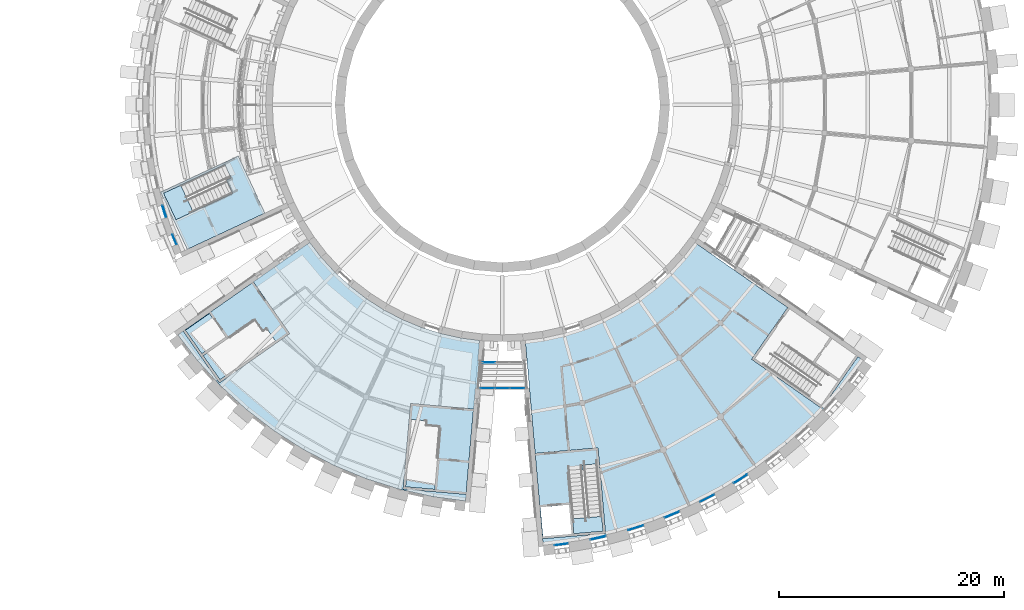
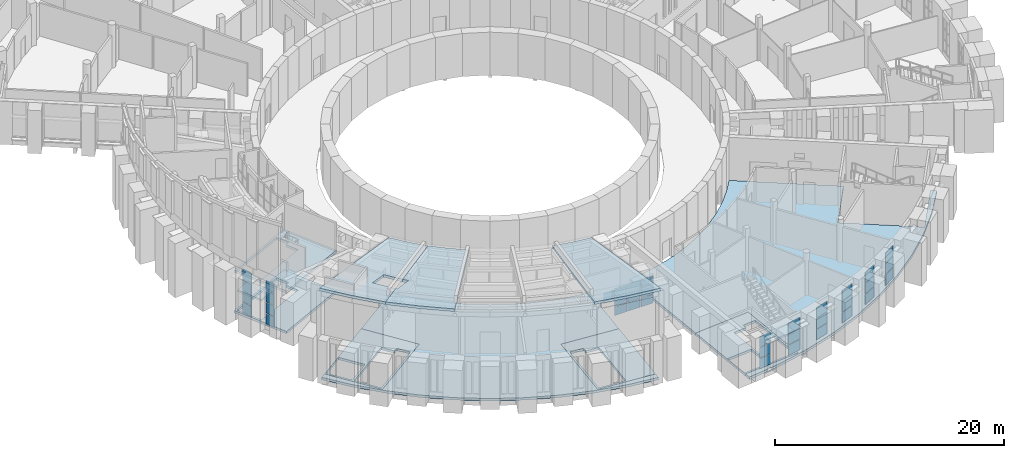
# One storey, part 29 of 66: 36 plates, 12 slabs, 12 elements without a shape of their own.
"""IFC4 building model written with IfcOpenShell, lengths in metres."""

from ifc_helpers import new_model, si_unit, direction, frame, origin, origin_2d, place, context, subcontext, project, spatial, polyline, rectangle, outline, extrude, material, layer, layer_set, type_object, element, aggregate, save


model = new_model("IFC4")

# Units and contexts
model_context = context("Model", 3, precision=1e-05, world=origin(), true_north=direction((0.0, 1.0)))
body_context = subcontext(model_context, "Body", "Model", "MODEL_VIEW")
ifc_project = project(units=[si_unit("LENGTHUNIT", "METRE"), si_unit("AREAUNIT", "SQUARE_METRE"), si_unit("VOLUMEUNIT", "CUBIC_METRE"), si_unit("PLANEANGLEUNIT", "RADIAN"), si_unit("MASSUNIT", "GRAM", prefix="KILO")], contexts=[model_context])

# Site, building, storey
site_placement = place(None, origin())
site = spatial("IfcSite", under=ifc_project, at=site_placement, CompositionType="ELEMENT")
building_placement = place(site_placement, origin())
building = spatial("IfcBuilding", under=site, at=building_placement, Name="Volute Hill Aquarium", CompositionType="ELEMENT")
storey_placement = place(building_placement, frame((0.0, 0.0, 4.60009765625)))
storey = spatial("IfcBuildingStorey", under=building, at=storey_placement, Name="L02", CompositionType="ELEMENT", Elevation=4.60009765625)

# Curtain wall, plate
ifc_material_1 = material(Name="Aluminium and glass", Category="aluminium")
ifc_layer_1 = layer(ifc_material_1, 0.1201171875)
ifc_layer_set_1 = layer_set([ifc_layer_1], Name="Bridge curtain wall")
curtain_wall_type_1 = type_object("IfcCurtainWallType", Name="Bridge curtain wall", PredefinedType="NOTDEFINED", material=ifc_layer_set_1)
curtain_wall_1_placement = place(storey_placement, origin())
curtain_wall_1 = element("IfcCurtainWall", 1, at=curtain_wall_1_placement, inside=storey, type_object=curtain_wall_type_1, Name="br/SC3/L02/cwa", PredefinedType="NOTDEFINED")
ifc_material_2 = material(Name="Laminated glass", Category="glass")
ifc_layer_2 = layer(ifc_material_2, 0.028076171875)
ifc_layer_set_2 = layer_set([ifc_layer_2], Name="Bridge glass panel 28")
plate_type_1 = type_object("IfcPlateType", Name="Bridge glass panel 28", PredefinedType="CURTAIN_PANEL", material=ifc_layer_set_2)
plate_1_placement = place(storey_placement, frame((-1.1845703125, -22.860107421875, 0.06005859375), z_axis=(0.0, 0.0, 1.0), x_axis=(1.0, 0.0, 0.0)))
plate_1 = element("IfcPlate", 2, at=plate_1_placement, type_object=plate_type_1, Name="BR5 panel 1.1", PredefinedType="CURTAIN_PANEL", context=body_context, shape_type="SweptSolid", body=[
    extrude(rectangle(XDim=1.109375, YDim=0.028076171875, at=origin_2d()), origin(), (0.0, 0.0, 1.0), 0.909912109375),
])
aggregate(curtain_wall_1, [plate_1])

# Curtain wall, plates
curtain_wall_2_placement = place(storey_placement, origin())
curtain_wall_2 = element("IfcCurtainWall", 3, at=curtain_wall_2_placement, inside=storey, type_object=curtain_wall_type_1, Name="br/SC3/L02/cwb", PredefinedType="NOTDEFINED")
plate_2_placement = place(storey_placement, frame((-1.3173828125, -25.139892578125, 0.06005859375), z_axis=(0.0, 0.0, 1.0), x_axis=(1.0, 0.0, 0.0)))
plate_2 = element("IfcPlate", 4, at=plate_2_placement, type_object=plate_type_1, Name="BR5 panel 1.1", PredefinedType="CURTAIN_PANEL", context=body_context, shape_type="SweptSolid", body=[
    extrude(rectangle(XDim=1.242431640625, YDim=0.028076171875, at=origin_2d()), origin(), (0.0, 0.0, 1.0), 0.909912109375),
])
plate_3_placement = place(storey_placement, frame((-1.3173828125, -25.139892578125, 1.02978515625), z_axis=(0.0, 0.0, 1.0), x_axis=(1.0, 0.0, 0.0)))
plate_3 = element("IfcPlate", 5, at=plate_3_placement, type_object=plate_type_1, Name="BR5 panel 1.2", PredefinedType="CURTAIN_PANEL", context=body_context, shape_type="SweptSolid", body=[
    extrude(rectangle(XDim=1.242431640625, YDim=0.028076171875, at=origin_2d()), origin(), (0.0, 0.0, 1.0), 1.0400390625),
])
plate_4_placement = place(storey_placement, frame((-1.3173828125, -25.139892578125, 2.1298828125), z_axis=(0.0, 0.0, 1.0), x_axis=(1.0, 0.0, 0.0)))
plate_4 = element("IfcPlate", 6, at=plate_4_placement, type_object=plate_type_1, Name="BR5 panel 1.3", PredefinedType="CURTAIN_PANEL", context=body_context, shape_type="SweptSolid", body=[
    extrude(rectangle(XDim=1.242431640625, YDim=0.028076171875, at=origin_2d()), origin(), (0.0, 0.0, 1.0), 0.81005859375),
])
plate_5_placement = place(storey_placement, frame((0.0, -25.139892578125, 0.06005859375), z_axis=(0.0, 0.0, 1.0), x_axis=(1.0, 0.0, 0.0)))
plate_5 = element("IfcPlate", 7, at=plate_5_placement, type_object=plate_type_1, Name="BR5 panel 2.1", PredefinedType="CURTAIN_PANEL", context=body_context, shape_type="SweptSolid", body=[
    extrude(rectangle(XDim=1.2724609375, YDim=0.028076171875, at=origin_2d()), origin(), (0.0, 0.0, 1.0), 0.909912109375),
])
plate_6_placement = place(storey_placement, frame((0.0, -25.139892578125, 1.02978515625), z_axis=(0.0, 0.0, 1.0), x_axis=(1.0, 0.0, 0.0)))
plate_6 = element("IfcPlate", 8, at=plate_6_placement, type_object=plate_type_1, Name="BR5 panel 2.2", PredefinedType="CURTAIN_PANEL", context=body_context, shape_type="SweptSolid", body=[
    extrude(rectangle(XDim=1.2724609375, YDim=0.028076171875, at=origin_2d()), origin(), (0.0, 0.0, 1.0), 1.0400390625),
])
plate_7_placement = place(storey_placement, frame((0.0, -25.139892578125, 2.1298828125), z_axis=(0.0, 0.0, 1.0), x_axis=(1.0, 0.0, 0.0)))
plate_7 = element("IfcPlate", 9, at=plate_7_placement, type_object=plate_type_1, Name="BR5 panel 2.3", PredefinedType="CURTAIN_PANEL", context=body_context, shape_type="SweptSolid", body=[
    extrude(rectangle(XDim=1.2724609375, YDim=0.028076171875, at=origin_2d()), origin(), (0.0, 0.0, 1.0), 0.81005859375),
])
plate_8_placement = place(storey_placement, frame((1.3173828125, -25.139892578125, 0.06005859375), z_axis=(0.0, 0.0, 1.0), x_axis=(1.0, 0.0, 0.0)))
plate_8 = element("IfcPlate", 10, at=plate_8_placement, type_object=plate_type_1, Name="BR5 panel 3.1", PredefinedType="CURTAIN_PANEL", context=body_context, shape_type="SweptSolid", body=[
    extrude(rectangle(XDim=1.242431640625, YDim=0.028076171875, at=origin_2d()), origin(), (0.0, 0.0, 1.0), 0.909912109375),
])
plate_9_placement = place(storey_placement, frame((1.3173828125, -25.139892578125, 1.02978515625), z_axis=(0.0, 0.0, 1.0), x_axis=(1.0, 0.0, 0.0)))
plate_9 = element("IfcPlate", 11, at=plate_9_placement, type_object=plate_type_1, Name="BR5 panel 3.2", PredefinedType="CURTAIN_PANEL", context=body_context, shape_type="SweptSolid", body=[
    extrude(rectangle(XDim=1.242431640625, YDim=0.028076171875, at=origin_2d()), origin(), (0.0, 0.0, 1.0), 1.0400390625),
])
plate_10_placement = place(storey_placement, frame((1.3173828125, -25.139892578125, 2.1298828125), z_axis=(0.0, 0.0, 1.0), x_axis=(1.0, 0.0, 0.0)))
plate_10 = element("IfcPlate", 12, at=plate_10_placement, type_object=plate_type_1, Name="BR5 panel 3.3", PredefinedType="CURTAIN_PANEL", context=body_context, shape_type="SweptSolid", body=[
    extrude(rectangle(XDim=1.242431640625, YDim=0.028076171875, at=origin_2d()), origin(), (0.0, 0.0, 1.0), 0.81005859375),
])
aggregate(curtain_wall_2, [plate_2, plate_3, plate_4, plate_5, plate_6, plate_7, plate_8, plate_9, plate_10])

# Slabs
ifc_material_3 = material(Name="Concrete C30/37", Category="concrete")
ifc_layer_3 = layer(ifc_material_3, 0.25)
ifc_layer_set_3 = layer_set([ifc_layer_3], Name="Core floor slab 250")
slab_type_1 = type_object("IfcSlabType", Name="Core floor slab 250", PredefinedType="FLOOR", material=ifc_layer_set_3)
for number, where, name in (
    (13, (0.0, 0.0, -0.25), "cs/S1-B/L02"),
    (14, (0.0, 0.0, 4.06982421875), "cs/S1-B/roof"),
):
    element("IfcSlab", number, at=place(storey_placement, frame(where)), inside=storey, type_object=slab_type_1, Name=name, PredefinedType="FLOOR", context=body_context, shape_type="SweptSolid", body=[
        extrude(outline(polyline([(-23.43212890625, -4.527099609375), (-30.3203125, -7.739013671875), (-27.95361328125, -12.814208984375), (-21.0654296875, -9.602294921875), (-23.43212890625, -4.527099609375)]), holes=[polyline([(-23.925537109375, -7.846435546875), (-28.95556640625, -10.192138671875), (-30.054443359375, -7.835693359375), (-24.618408203125, -5.30078125), (-24.06884765625, -6.47900390625), (-24.47509765625, -6.668212890625), (-23.925537109375, -7.846435546875)])]), origin(), (0.0, 0.0, 1.0), 0.25),
    ])
slab_1_placement = place(storey_placement, frame((0.0, 0.0, -0.25)))
element("IfcSlab", 15, at=slab_1_placement, inside=storey, type_object=slab_type_1, Name="cs/S2-A/L02", PredefinedType="FLOOR", context=body_context, shape_type="SweptSolid", body=[
    extrude(outline(polyline([(-22.084228515625, -15.707763671875), (-28.309814453125, -20.06689453125), (-25.097900390625, -24.654296875), (-18.872314453125, -20.294921875), (-22.084228515625, -15.707763671875)]), holes=[polyline([(-24.52490234375, -20.5908203125), (-26.65478515625, -22.08203125), (-28.117431640625, -19.9931640625), (-25.987548828125, -18.501953125), (-24.52490234375, -20.5908203125)]), polyline([(-21.248046875, -20.12744140625), (-20.881103515625, -19.870361328125), (-20.135498046875, -20.935302734375), (-25.048583984375, -24.37548828125), (-26.5400390625, -22.245849609375), (-21.99365234375, -19.0625), (-21.248046875, -20.12744140625)])]), origin(), (0.0, 0.0, 1.0), 0.25),
])
slab_2_placement = place(storey_placement, frame((0.0, 0.0, -0.25)))
element("IfcSlab", 16, at=slab_2_placement, inside=storey, type_object=slab_type_1, Name="cs/S2-B/L02", PredefinedType="FLOOR", context=body_context, shape_type="SweptSolid", body=[
    extrude(outline(polyline([(-8.139892578125, -26.491455078125), (-8.80224609375, -34.0625), (-3.223388671875, -34.550537109375), (-2.561279296875, -26.9794921875), (-8.139892578125, -26.491455078125)]), holes=[polyline([(-5.51171875, -28.578369140625), (-5.99560546875, -34.107177734375), (-8.585693359375, -33.880615234375), (-8.062744140625, -27.905517578125), (-6.767822265625, -28.018798828125), (-6.806884765625, -28.465087890625), (-5.51171875, -28.578369140625)])]), origin(), (0.0, 0.0, 1.0), 0.25),
])
slab_3_placement = place(storey_placement, frame((0.0, 0.0, -0.25)))
element("IfcSlab", 17, at=slab_3_placement, inside=storey, type_object=slab_type_1, Name="cs/S3-A/L02", PredefinedType="FLOOR", context=body_context, shape_type="SweptSolid", body=[
    extrude(outline(polyline([(2.905517578125, -30.914306640625), (3.56787109375, -38.485595703125), (9.146484375, -37.997314453125), (8.484130859375, -30.42626953125), (2.905517578125, -30.914306640625)]), holes=[polyline([(5.913818359375, -35.469482421875), (6.140380859375, -38.059814453125), (3.60009765625, -38.281982421875), (3.37353515625, -35.69189453125), (5.913818359375, -35.469482421875)]), polyline([(7.151123046875, -32.39990234375), (7.112060546875, -31.95361328125), (8.406982421875, -31.84033203125), (8.9296875, -37.815673828125), (6.339599609375, -38.042236328125), (5.85595703125, -32.51318359375), (7.151123046875, -32.39990234375)])]), origin(), (0.0, 0.0, 1.0), 0.25),
])

# Curtain wall, plates
ifc_material_4 = material(Name="Aluminium", Category="aluminium")
ifc_layer_4 = layer(ifc_material_4, 0.25)
ifc_layer_set_4 = layer_set([ifc_layer_4], Name="Curtain wall niche S1 module 1193")
curtain_wall_type_2 = type_object("IfcCurtainWallType", Name="Curtain wall niche S1 module 1193", PredefinedType="NOTDEFINED", material=ifc_layer_set_4)
curtain_wall_3_placement = place(storey_placement, origin())
curtain_wall_3 = element("IfcCurtainWall", 18, at=curtain_wall_3_placement, inside=storey, type_object=curtain_wall_type_2, Name="Curtain wall CW S1 L02 9", PredefinedType="NOTDEFINED")
ifc_material_5 = material(Name="Glass, low-iron laminated", Category="glass")
ifc_layer_5 = layer(ifc_material_5, 0.031982421875)
ifc_layer_set_5 = layer_set([ifc_layer_5], Name="Curtain wall glass panel S1 32")
plate_type_2 = type_object("IfcPlateType", Name="Curtain wall glass panel S1 32", PredefinedType="CURTAIN_PANEL", material=ifc_layer_set_5)
plate_11_placement = place(storey_placement, frame((-29.9892578125, -9.45556640625, 1.6650390625), z_axis=(0.0, 0.0, 1.0), x_axis=(0.30069966623, -0.95371888454, 0.0)))
plate_11 = element("IfcPlate", 19, at=plate_11_placement, type_object=plate_type_2, Name="CW panel 1.2", PredefinedType="CURTAIN_PANEL", context=body_context, shape_type="SweptSolid", body=[
    extrude(rectangle(XDim=1.093017578125, YDim=0.031982421875, at=origin_2d()), origin(), (0.0, 0.0, 1.0), 1.139892578125),
])
plate_12_placement = place(storey_placement, frame((-29.9892578125, -9.45556640625, 2.85498046875), z_axis=(0.0, 0.0, 1.0), x_axis=(0.30069966623, -0.95371888454, 0.0)))
plate_12 = element("IfcPlate", 20, at=plate_12_placement, type_object=plate_type_2, Name="CW panel 1.3", PredefinedType="CURTAIN_PANEL", context=body_context, shape_type="SweptSolid", body=[
    extrude(rectangle(XDim=1.093017578125, YDim=0.031982421875, at=origin_2d()), origin(), (0.0, 0.0, 1.0), 1.139892578125),
])
plate_13_placement = place(storey_placement, frame((-29.9892578125, -9.45556640625, 4.044921875), z_axis=(0.0, 0.0, 1.0), x_axis=(0.30069966623, -0.95371888454, 0.0)))
plate_13 = element("IfcPlate", 21, at=plate_13_placement, type_object=plate_type_2, Name="CW panel 1.4", PredefinedType="CURTAIN_PANEL", context=body_context, shape_type="SweptSolid", body=[
    extrude(rectangle(XDim=1.093017578125, YDim=0.031982421875, at=origin_2d()), origin(), (0.0, 0.0, 1.0), 1.114990234375),
])

ifc_material_6 = material(Name="Aluminium", Category="aluminium")
ifc_layer_6 = layer(ifc_material_6, 0.25)
ifc_layer_set_6 = layer_set([ifc_layer_6], Name="Curtain wall niche S1 module 993")
curtain_wall_type_3 = type_object("IfcCurtainWallType", Name="Curtain wall niche S1 module 993", PredefinedType="NOTDEFINED", material=ifc_layer_set_6)
curtain_wall_4_placement = place(storey_placement, origin())
curtain_wall_4 = element("IfcCurtainWall", 22, at=curtain_wall_4_placement, inside=storey, type_object=curtain_wall_type_3, Name="Curtain wall CW S1 L02 10", PredefinedType="NOTDEFINED")
plate_14_placement = place(storey_placement, frame((-29.08935546875, -11.94091796875, 0.5), z_axis=(0.0, 0.0, 1.0), x_axis=(0.382669702059, -0.923885219671, 0.0)))
plate_14 = element("IfcPlate", 23, at=plate_14_placement, type_object=plate_type_2, Name="CW panel 1.1", PredefinedType="CURTAIN_PANEL", context=body_context, shape_type="SweptSolid", body=[
    extrude(rectangle(XDim=0.892822265625, YDim=0.031982421875, at=origin_2d()), origin(), (0.0, 0.0, 1.0), 1.114990234375),
])
plate_15_placement = place(storey_placement, frame((-29.08935546875, -11.94091796875, 1.6650390625), z_axis=(0.0, 0.0, 1.0), x_axis=(0.382669702059, -0.923885219671, 0.0)))
plate_15 = element("IfcPlate", 24, at=plate_15_placement, type_object=plate_type_2, Name="CW panel 1.2", PredefinedType="CURTAIN_PANEL", context=body_context, shape_type="SweptSolid", body=[
    extrude(rectangle(XDim=0.892822265625, YDim=0.031982421875, at=origin_2d()), origin(), (0.0, 0.0, 1.0), 1.139892578125),
])
plate_16_placement = place(storey_placement, frame((-29.08935546875, -11.94091796875, 2.85498046875), z_axis=(0.0, 0.0, 1.0), x_axis=(0.382669702059, -0.923885219671, 0.0)))
plate_16 = element("IfcPlate", 25, at=plate_16_placement, type_object=plate_type_2, Name="CW panel 1.3", PredefinedType="CURTAIN_PANEL", context=body_context, shape_type="SweptSolid", body=[
    extrude(rectangle(XDim=0.892822265625, YDim=0.031982421875, at=origin_2d()), origin(), (0.0, 0.0, 1.0), 1.139892578125),
])
plate_17_placement = place(storey_placement, frame((-29.08935546875, -11.94091796875, 4.044921875), z_axis=(0.0, 0.0, 1.0), x_axis=(0.382669702059, -0.923885219671, 0.0)))
plate_17 = element("IfcPlate", 26, at=plate_17_placement, type_object=plate_type_2, Name="CW panel 1.4", PredefinedType="CURTAIN_PANEL", context=body_context, shape_type="SweptSolid", body=[
    extrude(rectangle(XDim=0.892822265625, YDim=0.031982421875, at=origin_2d()), origin(), (0.0, 0.0, 1.0), 1.114990234375),
])
aggregate(curtain_wall_4, [plate_14, plate_15, plate_16, plate_17])

ifc_material_7 = material(Name="Aluminium", Category="aluminium")
ifc_layer_7 = layer(ifc_material_7, 0.25)
ifc_layer_set_7 = layer_set([ifc_layer_7], Name="Curtain wall niche S3 module 1289")
curtain_wall_type_4 = type_object("IfcCurtainWallType", Name="Curtain wall niche S3 module 1289", PredefinedType="NOTDEFINED", material=ifc_layer_set_7)
curtain_wall_5_placement = place(storey_placement, origin())
curtain_wall_5 = element("IfcCurtainWall", 27, at=curtain_wall_5_placement, inside=storey, type_object=curtain_wall_type_4, Name="Curtain wall CW S3 L02 1", PredefinedType="NOTDEFINED")
ifc_material_8 = material(Name="Glass, low-iron laminated", Category="glass")
ifc_layer_8 = layer(ifc_material_8, 0.031982421875)
ifc_layer_set_8 = layer_set([ifc_layer_8], Name="Curtain wall glass panel S3 32")
plate_type_3 = type_object("IfcPlateType", Name="Curtain wall glass panel S3 32", PredefinedType="CURTAIN_PANEL", material=ifc_layer_set_8)
plate_18_placement = place(storey_placement, frame((5.23388671875, -38.987548828125, 0.510009765625), z_axis=(0.0, 0.0, 1.0), x_axis=(0.991447455432, 0.130506486875, 0.0)))
plate_18 = element("IfcPlate", 28, at=plate_18_placement, type_object=plate_type_3, Name="CW panel 1.1", PredefinedType="CURTAIN_PANEL", context=body_context, shape_type="SweptSolid", body=[
    extrude(rectangle(XDim=1.1689453125, YDim=0.031982421875, at=origin_2d()), origin(), (0.0, 0.0, 1.0), 1.09326171875),
])
plate_19_placement = place(storey_placement, frame((5.23388671875, -38.987548828125, 1.6630859375), z_axis=(0.0, 0.0, 1.0), x_axis=(0.991447455432, 0.130506486875, 0.0)))
plate_19 = element("IfcPlate", 29, at=plate_19_placement, type_object=plate_type_3, Name="CW panel 1.2", PredefinedType="CURTAIN_PANEL", context=body_context, shape_type="SweptSolid", body=[
    extrude(rectangle(XDim=1.1689453125, YDim=0.031982421875, at=origin_2d()), origin(), (0.0, 0.0, 1.0), 1.123291015625),
])
plate_20_placement = place(storey_placement, frame((5.23388671875, -38.987548828125, 2.8466796875), z_axis=(0.0, 0.0, 1.0), x_axis=(0.991447455432, 0.130506486875, 0.0)))
plate_20 = element("IfcPlate", 30, at=plate_20_placement, type_object=plate_type_3, Name="CW panel 1.3", PredefinedType="CURTAIN_PANEL", context=body_context, shape_type="SweptSolid", body=[
    extrude(rectangle(XDim=1.1689453125, YDim=0.031982421875, at=origin_2d()), origin(), (0.0, 0.0, 1.0), 1.09326171875),
])
aggregate(curtain_wall_5, [plate_18, plate_19, plate_20])

ifc_material_9 = material(Name="Aluminium", Category="aluminium")
ifc_layer_9 = layer(ifc_material_9, 0.25)
ifc_layer_set_9 = layer_set([ifc_layer_9], Name="Curtain wall niche S3 module 1489")
curtain_wall_type_5 = type_object("IfcCurtainWallType", Name="Curtain wall niche S3 module 1489", PredefinedType="NOTDEFINED", material=ifc_layer_set_9)
curtain_wall_6_placement = place(storey_placement, origin())
curtain_wall_6 = element("IfcCurtainWall", 31, at=curtain_wall_6_placement, inside=storey, type_object=curtain_wall_type_5, Name="Curtain wall CW S3 L02 2", PredefinedType="NOTDEFINED")
plate_21_placement = place(storey_placement, frame((8.51416015625, -38.40478515625, 1.6630859375), z_axis=(0.0, 0.0, 1.0), x_axis=(0.976298320472, 0.216429178819, 0.0)))
plate_21 = element("IfcPlate", 32, at=plate_21_placement, type_object=plate_type_3, Name="CW panel 1.2", PredefinedType="CURTAIN_PANEL", context=body_context, shape_type="SweptSolid", body=[
    extrude(rectangle(XDim=1.369140625, YDim=0.031982421875, at=origin_2d()), origin(), (0.0, 0.0, 1.0), 1.123291015625),
])
plate_22_placement = place(storey_placement, frame((8.51416015625, -38.40478515625, 2.8466796875), z_axis=(0.0, 0.0, 1.0), x_axis=(0.976298320472, 0.216429178819, 0.0)))
plate_22 = element("IfcPlate", 33, at=plate_22_placement, type_object=plate_type_3, Name="CW panel 1.3", PredefinedType="CURTAIN_PANEL", context=body_context, shape_type="SweptSolid", body=[
    extrude(rectangle(XDim=1.369140625, YDim=0.031982421875, at=origin_2d()), origin(), (0.0, 0.0, 1.0), 1.09326171875),
])

curtain_wall_7_placement = place(storey_placement, origin())
curtain_wall_7 = element("IfcCurtainWall", 34, at=curtain_wall_7_placement, inside=storey, type_object=curtain_wall_type_5, Name="Curtain wall CW S3 L02 3", PredefinedType="NOTDEFINED")
plate_23_placement = place(storey_placement, frame((11.828857421875, -37.5166015625, 0.510009765625), z_axis=(0.0, 0.0, 1.0), x_axis=(0.953714807337, 0.300712597453, 0.0)))
plate_23 = element("IfcPlate", 35, at=plate_23_placement, type_object=plate_type_3, Name="CW panel 1.1", PredefinedType="CURTAIN_PANEL", context=body_context, shape_type="SweptSolid", body=[
    extrude(rectangle(XDim=1.369140625, YDim=0.031982421875, at=origin_2d()), origin(), (0.0, 0.0, 1.0), 1.09326171875),
])
plate_24_placement = place(storey_placement, frame((11.828857421875, -37.5166015625, 1.6630859375), z_axis=(0.0, 0.0, 1.0), x_axis=(0.953714807337, 0.300712597453, 0.0)))
plate_24 = element("IfcPlate", 36, at=plate_24_placement, type_object=plate_type_3, Name="CW panel 1.2", PredefinedType="CURTAIN_PANEL", context=body_context, shape_type="SweptSolid", body=[
    extrude(rectangle(XDim=1.369140625, YDim=0.031982421875, at=origin_2d()), origin(), (0.0, 0.0, 1.0), 1.123291015625),
])
plate_25_placement = place(storey_placement, frame((11.828857421875, -37.5166015625, 2.8466796875), z_axis=(0.0, 0.0, 1.0), x_axis=(0.953714807337, 0.300712597453, 0.0)))
plate_25 = element("IfcPlate", 37, at=plate_25_placement, type_object=plate_type_3, Name="CW panel 1.3", PredefinedType="CURTAIN_PANEL", context=body_context, shape_type="SweptSolid", body=[
    extrude(rectangle(XDim=1.369140625, YDim=0.031982421875, at=origin_2d()), origin(), (0.0, 0.0, 1.0), 1.09326171875),
])
aggregate(curtain_wall_7, [plate_23, plate_24, plate_25])

curtain_wall_8_placement = place(storey_placement, origin())
curtain_wall_8 = element("IfcCurtainWall", 38, at=curtain_wall_8_placement, inside=storey, type_object=curtain_wall_type_5, Name="Curtain wall CW S3 L02 4", PredefinedType="NOTDEFINED")
plate_26_placement = place(storey_placement, frame((15.0537109375, -36.3427734375, 1.6630859375), z_axis=(0.0, 0.0, 1.0), x_axis=(0.923875737316, 0.382692594649, 0.0)))
plate_26 = element("IfcPlate", 39, at=plate_26_placement, type_object=plate_type_3, Name="CW panel 1.2", PredefinedType="CURTAIN_PANEL", context=body_context, shape_type="SweptSolid", body=[
    extrude(rectangle(XDim=1.369140625, YDim=0.031982421875, at=origin_2d()), origin(), (0.0, 0.0, 1.0), 1.123291015625),
])
plate_27_placement = place(storey_placement, frame((15.0537109375, -36.3427734375, 2.8466796875), z_axis=(0.0, 0.0, 1.0), x_axis=(0.923875737316, 0.382692594649, 0.0)))
plate_27 = element("IfcPlate", 40, at=plate_27_placement, type_object=plate_type_3, Name="CW panel 1.3", PredefinedType="CURTAIN_PANEL", context=body_context, shape_type="SweptSolid", body=[
    extrude(rectangle(XDim=1.369140625, YDim=0.031982421875, at=origin_2d()), origin(), (0.0, 0.0, 1.0), 1.09326171875),
])

curtain_wall_9_placement = place(storey_placement, origin())
curtain_wall_9 = element("IfcCurtainWall", 41, at=curtain_wall_9_placement, inside=storey, type_object=curtain_wall_type_5, Name="Curtain wall CW S3 L02 5", PredefinedType="NOTDEFINED")
plate_28_placement = place(storey_placement, frame((18.163818359375, -34.892578125, 0.510009765625), z_axis=(0.0, 0.0, 1.0), x_axis=(0.887013102438, 0.461744254001, 0.0)))
plate_28 = element("IfcPlate", 42, at=plate_28_placement, type_object=plate_type_3, Name="CW panel 1.1", PredefinedType="CURTAIN_PANEL", context=body_context, shape_type="SweptSolid", body=[
    extrude(rectangle(XDim=1.369140625, YDim=0.031982421875, at=origin_2d()), origin(), (0.0, 0.0, 1.0), 1.09326171875),
])
plate_29_placement = place(storey_placement, frame((18.163818359375, -34.892578125, 1.6630859375), z_axis=(0.0, 0.0, 1.0), x_axis=(0.887013102438, 0.461744254001, 0.0)))
plate_29 = element("IfcPlate", 43, at=plate_29_placement, type_object=plate_type_3, Name="CW panel 1.2", PredefinedType="CURTAIN_PANEL", context=body_context, shape_type="SweptSolid", body=[
    extrude(rectangle(XDim=1.369140625, YDim=0.031982421875, at=origin_2d()), origin(), (0.0, 0.0, 1.0), 1.123291015625),
])
plate_30_placement = place(storey_placement, frame((18.163818359375, -34.892578125, 2.8466796875), z_axis=(0.0, 0.0, 1.0), x_axis=(0.887013102438, 0.461744254001, 0.0)))
plate_30 = element("IfcPlate", 44, at=plate_30_placement, type_object=plate_type_3, Name="CW panel 1.3", PredefinedType="CURTAIN_PANEL", context=body_context, shape_type="SweptSolid", body=[
    extrude(rectangle(XDim=1.369140625, YDim=0.031982421875, at=origin_2d()), origin(), (0.0, 0.0, 1.0), 1.09326171875),
])
aggregate(curtain_wall_9, [plate_28, plate_29, plate_30])

curtain_wall_10_placement = place(storey_placement, origin())
curtain_wall_10 = element("IfcCurtainWall", 45, at=curtain_wall_10_placement, inside=storey, type_object=curtain_wall_type_5, Name="Curtain wall CW S3 L02 6", PredefinedType="NOTDEFINED")
plate_31_placement = place(storey_placement, frame((21.1357421875, -33.1767578125, 1.6630859375), z_axis=(0.0, 0.0, 1.0), x_axis=(0.843386539683, 0.53730730935, 0.0)))
plate_31 = element("IfcPlate", 46, at=plate_31_placement, type_object=plate_type_3, Name="CW panel 1.2", PredefinedType="CURTAIN_PANEL", context=body_context, shape_type="SweptSolid", body=[
    extrude(rectangle(XDim=1.369140625, YDim=0.031982421875, at=origin_2d()), origin(), (0.0, 0.0, 1.0), 1.123291015625),
])
plate_32_placement = place(storey_placement, frame((21.1357421875, -33.1767578125, 2.8466796875), z_axis=(0.0, 0.0, 1.0), x_axis=(0.843386539683, 0.53730730935, 0.0)))
plate_32 = element("IfcPlate", 47, at=plate_32_placement, type_object=plate_type_3, Name="CW panel 1.3", PredefinedType="CURTAIN_PANEL", context=body_context, shape_type="SweptSolid", body=[
    extrude(rectangle(XDim=1.369140625, YDim=0.031982421875, at=origin_2d()), origin(), (0.0, 0.0, 1.0), 1.09326171875),
])

# Plate
ifc_material_10 = material(Name="Aluminium", Category="aluminium")
ifc_layer_10 = layer(ifc_material_10, 0.06005859375)
ifc_layer_set_10 = layer_set([ifc_layer_10], Name="Curtain wall insulated spandrel panel 60")
plate_type_4 = type_object("IfcPlateType", Name="Curtain wall insulated spandrel panel 60", PredefinedType="CURTAIN_PANEL", material=ifc_layer_set_10)
plate_33_placement = place(storey_placement, frame((-29.9892578125, -9.45556640625, 0.5), z_axis=(0.0, 0.0, 1.0), x_axis=(0.30069966623, -0.95371888454, 0.0)))
plate_33 = element("IfcPlate", 48, at=plate_33_placement, type_object=plate_type_4, Name="CW panel 1.1", PredefinedType="CURTAIN_PANEL", context=body_context, shape_type="SweptSolid", body=[
    extrude(rectangle(XDim=1.093017578125, YDim=0.06005859375, at=origin_2d()), origin(), (0.0, 0.0, 1.0), 1.114990234375),
])

aggregate(curtain_wall_3, [plate_33, plate_11, plate_12, plate_13])

plate_34_placement = place(storey_placement, frame((8.51416015625, -38.40478515625, 0.510009765625), z_axis=(0.0, 0.0, 1.0), x_axis=(0.976298320472, 0.216429178819, 0.0)))
plate_34 = element("IfcPlate", 49, at=plate_34_placement, type_object=plate_type_4, Name="CW panel 1.1", PredefinedType="CURTAIN_PANEL", context=body_context, shape_type="SweptSolid", body=[
    extrude(rectangle(XDim=1.369140625, YDim=0.06005859375, at=origin_2d()), origin(), (0.0, 0.0, 1.0), 1.09326171875),
])

aggregate(curtain_wall_6, [plate_34, plate_21, plate_22])

plate_35_placement = place(storey_placement, frame((15.0537109375, -36.3427734375, 0.510009765625), z_axis=(0.0, 0.0, 1.0), x_axis=(0.923875737316, 0.382692594649, 0.0)))
plate_35 = element("IfcPlate", 50, at=plate_35_placement, type_object=plate_type_4, Name="CW panel 1.1", PredefinedType="CURTAIN_PANEL", context=body_context, shape_type="SweptSolid", body=[
    extrude(rectangle(XDim=1.369140625, YDim=0.06005859375, at=origin_2d()), origin(), (0.0, 0.0, 1.0), 1.09326171875),
])

aggregate(curtain_wall_8, [plate_35, plate_26, plate_27])

plate_36_placement = place(storey_placement, frame((21.1357421875, -33.1767578125, 0.510009765625), z_axis=(0.0, 0.0, 1.0), x_axis=(0.843386539683, 0.53730730935, 0.0)))
plate_36 = element("IfcPlate", 51, at=plate_36_placement, type_object=plate_type_4, Name="CW panel 1.1", PredefinedType="CURTAIN_PANEL", context=body_context, shape_type="SweptSolid", body=[
    extrude(rectangle(XDim=1.369140625, YDim=0.06005859375, at=origin_2d()), origin(), (0.0, 0.0, 1.0), 1.09326171875),
])

aggregate(curtain_wall_10, [plate_36, plate_31, plate_32])

# Slabs
ifc_material_11 = material(Name="Concrete C35/45", Category="concrete")
ifc_layer_11 = layer(ifc_material_11, 0.260009765625)
ifc_layer_set_11 = layer_set([ifc_layer_11], Name="Floor slab 260 C35/45")
slab_type_2 = type_object("IfcSlabType", Name="Floor slab 260 C35/45", PredefinedType="FLOOR", material=ifc_layer_set_11)
slab_4_placement = place(storey_placement, frame((0.0, 0.0, -0.260009765625)))
element("IfcSlab", 52, at=slab_4_placement, inside=storey, type_object=slab_type_2, Name="fl/S2/L02/1", PredefinedType="FLOOR", context=body_context, shape_type="SweptSolid", body=[
    extrude(outline(polyline([(-6.1298828125, -34.763671875), (-9.13623046875, -34.09716796875), (-12.0732421875, -33.171142578125), (-14.91845703125, -31.99267578125), (-17.64990234375, -30.57080078125), (-20.247314453125, -28.916015625), (-22.6904296875, -27.04150390625), (-24.9609375, -24.9609375), (-27.04150390625, -22.6904296875), (-28.794189453125, -20.406005859375), (-28.309814453125, -20.06689453125), (-25.097900390625, -24.654296875), (-18.872314453125, -20.294921875), (-22.084228515625, -15.707763671875), (-24.95947265625, -17.720947265625), (-17.080322265625, -12.203857421875), (-16.0869140625, -13.49853515625), (-14.84912109375, -14.84912109375), (-13.49853515625, -16.0869140625), (-12.045166015625, -17.2021484375), (-10.5, -18.1865234375), (-8.875, -19.032470703125), (-7.182373046875, -19.7333984375), (-5.435302734375, -20.284423828125), (-3.646484375, -20.680908203125), (-2.02880859375, -20.89404296875), (-2.9052734375, -30.913330078125), (-2.561279296875, -26.9794921875), (-8.139892578125, -26.491455078125), (-8.80224609375, -34.0625), (-3.223388671875, -34.550537109375), (-3.275146484375, -35.1396484375), (-6.1298828125, -34.763671875)])), origin(), (0.0, 0.0, 1.0), 0.260009765625),
])
ifc_material_12 = material(Name="Concrete C35/45", Category="concrete")
ifc_layer_12 = layer(ifc_material_12, 0.27001953125)
ifc_layer_set_12 = layer_set([ifc_layer_12], Name="Floor slab 270 C35/45")
slab_type_3 = type_object("IfcSlabType", Name="Floor slab 270 C35/45", PredefinedType="FLOOR", material=ifc_layer_set_12)
slab_5_placement = place(storey_placement, frame((0.0, 0.0, -0.27001953125)))
element("IfcSlab", 53, at=slab_5_placement, inside=storey, type_object=slab_type_3, Name="fl/S3/L02/1", PredefinedType="FLOOR", context=body_context, shape_type="SweptSolid", body=[
    extrude(outline(polyline([(30.067138671875, -25.2294921875), (27.75390625, -27.75390625), (25.2294921875, -30.067138671875), (22.512939453125, -32.151611328125), (19.625, -33.991455078125), (16.587890625, -35.572509765625), (13.42431640625, -36.8828125), (10.15869140625, -37.91259765625), (6.815673828125, -38.65380859375), (3.619384765625, -39.074462890625), (3.56787109375, -38.485595703125), (9.146484375, -37.997314453125), (8.484130859375, -30.42626953125), (2.905517578125, -30.914306640625), (2.02880859375, -20.89404296875), (3.646484375, -20.680908203125), (5.435302734375, -20.284423828125), (7.182373046875, -19.7333984375), (8.875, -19.032470703125), (10.5, -18.1865234375), (12.045166015625, -17.2021484375), (13.49853515625, -16.0869140625), (14.84912109375, -14.84912109375), (16.0869140625, -13.49853515625), (17.080322265625, -12.203857421875), (25.320068359375, -17.973388671875), (22.10791015625, -22.560546875), (28.33349609375, -26.919921875), (31.54541015625, -22.33251953125), (26.370849609375, -18.709228515625), (32.02978515625, -22.671630859375), (30.067138671875, -25.2294921875)])), origin(), (0.0, 0.0, 1.0), 0.27001953125),
])
ifc_material_13 = material(Name="Concrete C30/37", Category="concrete")
ifc_layer_13 = layer(ifc_material_13, 0.25)
ifc_layer_set_13 = layer_set([ifc_layer_13], Name="Roof slab 250 C30/37")
slab_type_4 = type_object("IfcSlabType", Name="Roof slab 250 C30/37", PredefinedType="ROOF", material=ifc_layer_set_13)
slab_6_placement = place(storey_placement, frame((-22.545654296875, -22.545654296875, 8.59814453125), z_axis=(0.191421393879, 0.160629153624, 0.968274818929), x_axis=(-0.573430167106, 0.818945598333, -0.022493341786)))
element("IfcSlab", 54, at=slab_6_placement, inside=storey, type_object=slab_type_4, Name="rf/S2/L02/1", PredefinedType="ROOF", context=body_context, shape_type="SweptSolid", body=[
    extrude(outline(polyline([(0.0, 0.0), (2.237352507821028, -2.6020852139652106e-16), (2.2505559604678282, -2.3746696192368755), (0.4189398203783806, -2.37464247227569), (1.9525616828554666, -11.067585800405134), (3.7679391396793034, -10.820504575982387), (5.598145214939304, -10.738006567662111), (5.515419595358922, 4.026810827788844), (2.438959761353527, 3.8882359820173376), (-0.612742361213616, 3.473171745484758), (0.0, 0.0)])), origin(), (0.0, 0.0, -1.0), 0.25),
])
slab_7_placement = place(storey_placement, frame((-20.894287109375, -20.894287109375, 7.997802734375), z_axis=(0.160626803339, 0.191423961393, 0.968274701236), x_axis=(0.572627046524, -0.817110657696, 0.066546515076)))
element("IfcSlab", 55, at=slab_7_placement, inside=storey, type_object=slab_type_4, Name="rf/S2/L02/2", PredefinedType="ROOF", context=body_context, shape_type="SweptSolid", body=[
    extrude(outline(polyline([(0.0, 0.0), (0.5700596205867664, -3.122502256758253e-17), (0.6074019774132295, -2.3701140405652543), (0.443682867807276, -2.370144079373498), (1.0926194352027743, -5.836735561848855), (4.0951336350806615, -5.151117122027301), (7.023503966920351, -4.197987908025021), (1.9040911076040672, 9.651137993158546), (0.16196370561881435, 9.084170345930318), (-1.6242131277970215, 8.67647344482899), (0.0, 0.0)])), origin(), (0.0, 0.0, -1.0), 0.25),
])
slab_8_placement = place(storey_placement, frame((-9.13623046875, -34.09716796875, 9.476318359375), z_axis=(0.043396780895, 0.246082941525, 0.968276771021), x_axis=(0.976237209022, -0.216412623986, 0.011246683963)))
element("IfcSlab", 56, at=slab_8_placement, inside=storey, type_object=slab_type_4, Name="rf/S2/L02/5", PredefinedType="ROOF", context=body_context, shape_type="SweptSolid", body=[
    extrude(outline(polyline([(0.0, 0.0), (3.0795354584519417, 1.734723475976807e-18), (6.146837300565331, 0.27694231550200055), (4.239281277285757, 14.918274770859462), (2.4147312281439675, 14.753542120831224), (0.582382570918549, 14.753519921445184), (0.0, 0.0)])), origin(), (0.0, 0.0, -1.0), 0.25),
])

# Stair, slab
ifc_material_14 = material(Name="Concrete C35/45", Category="concrete")
stair_type = type_object("IfcStairType", Name="Stair C35/45", PredefinedType="HALF_TURN_STAIR", material=ifc_material_14)
stair_1_placement = place(storey_placement, origin())
stair_1 = element("IfcStair", 57, at=stair_1_placement, inside=storey, type_object=stair_type, Name="ST/S1-B/L02", PredefinedType="HALF_TURN_STAIR")
ifc_material_15 = material(Name="Concrete C35/45", Category="concrete")
ifc_layer_14 = layer(ifc_material_15, 0.199951171875)
ifc_layer_set_14 = layer_set([ifc_layer_14], Name="Stair landing C35/45 200")
slab_type_5 = type_object("IfcSlabType", Name="Stair landing C35/45 200", PredefinedType="LANDING", material=ifc_layer_set_14)
slab_9_placement = place(storey_placement, frame((0.0, 0.0, 1.9599609375)))
slab_9 = element("IfcSlab", 58, at=slab_9_placement, type_object=slab_type_5, Name="ST-S1-B-02 landing 1", PredefinedType="LANDING", context=body_context, shape_type="SweptSolid", body=[
    extrude(outline(polyline([(-28.530029296875, -7.124755859375), (-30.054443359375, -7.835693359375), (-28.95556640625, -10.192138671875), (-27.43115234375, -9.481201171875), (-28.530029296875, -7.124755859375)])), origin(), (0.0, 0.0, 1.0), 0.199951171875),
])
aggregate(stair_1, [slab_9])

stair_2_placement = place(storey_placement, origin())
stair_2 = element("IfcStair", 59, at=stair_2_placement, inside=storey, type_object=stair_type, Name="ST/S3-A/L02", PredefinedType="HALF_TURN_STAIR")
slab_10_placement = place(storey_placement, frame((0.0, 0.0, 2.099853515625)))
slab_10 = element("IfcSlab", 60, at=slab_10_placement, type_object=slab_type_5, Name="ST-S3-A-02 landing 1", PredefinedType="LANDING", context=body_context, shape_type="SweptSolid", body=[
    extrude(outline(polyline([(6.224609375, -36.72509765625), (6.339599609375, -38.042236328125), (8.9296875, -37.815673828125), (8.814697265625, -36.49853515625), (6.224609375, -36.72509765625)])), origin(), (0.0, 0.0, 1.0), 0.199951171875),
])
aggregate(stair_2, [slab_10])

save(model, "model.ifc")
